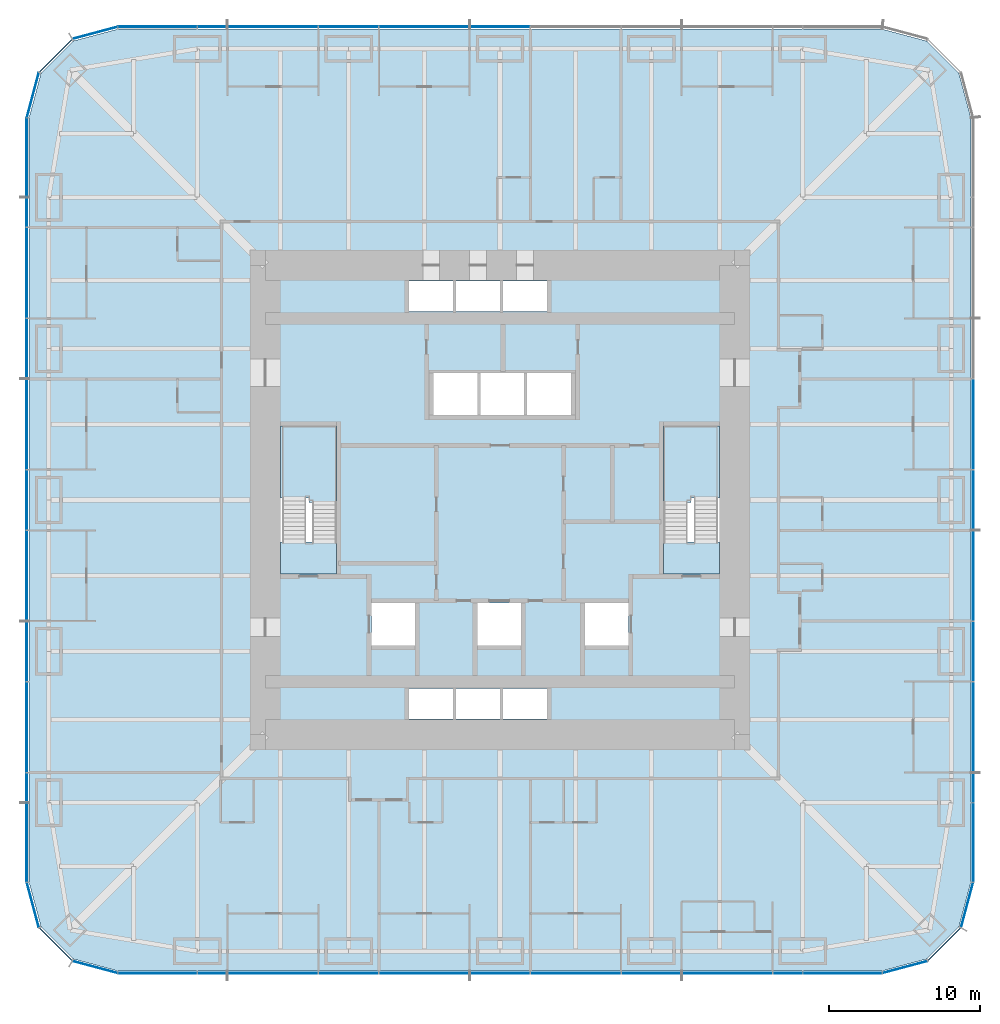
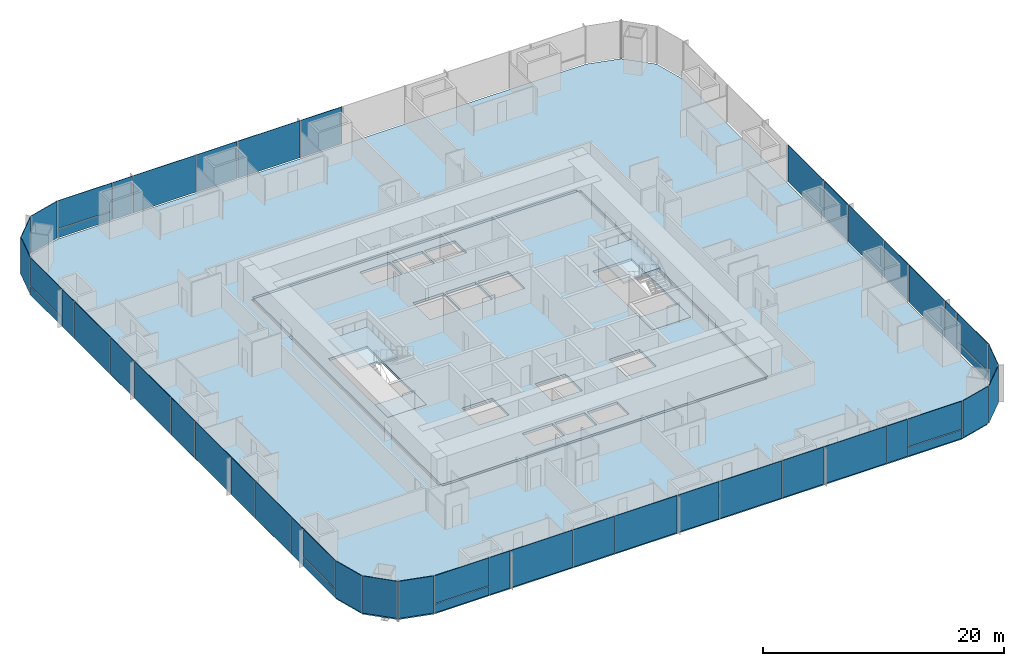
# One storey, part 10 of 17: 50 plates, 6 slabs, 9 elements without a shape of their own.
"""IFC4 building model written with IfcOpenShell, lengths in metres."""

from ifc_helpers import new_model, si_unit, direction, frame, origin, origin_2d, place, context, subcontext, project, spatial, polyline, rectangle, outline, extrude, material, layer, layer_set, type_object, element, aggregate, save


model = new_model("IFC4")

# Units and contexts
model_context = context("Model", 3, precision=1e-05, world=origin(), true_north=direction((0.0, 1.0)))
body_context = subcontext(model_context, "Body", "Model", "MODEL_VIEW")
ifc_project = project(units=[si_unit("LENGTHUNIT", "METRE"), si_unit("AREAUNIT", "SQUARE_METRE"), si_unit("VOLUMEUNIT", "CUBIC_METRE"), si_unit("PLANEANGLEUNIT", "RADIAN"), si_unit("MASSUNIT", "GRAM", prefix="KILO")], contexts=[model_context])

# Site, building, storey
site_placement = place(None, origin())
site = spatial("IfcSite", under=ifc_project, at=site_placement, CompositionType="ELEMENT")
building_placement = place(site_placement, origin())
building = spatial("IfcBuilding", under=site, at=building_placement, Name="Khuree Lantern Residences", CompositionType="ELEMENT")
storey_placement = place(building_placement, frame((0.0, 0.0, 77.25)))
storey = spatial("IfcBuildingStorey", under=building, at=storey_placement, Name="L19", CompositionType="ELEMENT", Elevation=77.25)

# Slab
ifc_material_1 = material(Name="Concrete C35/45", Category="concrete")
ifc_layer_1 = layer(ifc_material_1, 0.25)
ifc_layer_set_1 = layer_set([ifc_layer_1], Name="CFL250 CORE FLOOR SLAB 250")
slab_type_1 = type_object("IfcSlabType", Name="CFL250 CORE FLOOR SLAB 250", PredefinedType="FLOOR", material=ifc_layer_set_1)
slab_1_placement = place(storey_placement, frame((0.0, 0.0, -0.25)))
element("IfcSlab", 1, at=slab_1_placement, inside=storey, type_object=slab_type_1, Name="Core floor L19", PredefinedType="FLOOR", context=body_context, shape_type="SweptSolid", body=[
    extrude(outline(polyline([(-15.5, -15.5), (-15.5, 15.5), (15.5, 15.5), (15.5, -15.5), (-15.5, -15.5)]), holes=[polyline([(14.5, 4.89990234375), (10.800048828125, 4.89990234375), (10.800048828125, -4.89990234375), (14.5, -4.89990234375), (14.5, 4.89990234375)]), polyline([(8.5, -6.800048828125), (5.60009765625, -6.800048828125), (5.60009765625, -9.60009765625), (8.5, -9.60009765625), (8.5, -6.800048828125)]), polyline([(4.699951171875, 8.39990234375), (1.800048828125, 8.39990234375), (1.800048828125, 5.60009765625), (4.699951171875, 5.60009765625), (4.699951171875, 8.39990234375)]), polyline([(0.199951171875, -12.449951171875), (0.199951171875, -14.449951171875), (3.10009765625, -14.449951171875), (3.10009765625, -12.449951171875), (0.199951171875, -12.449951171875)]), polyline([(3.10009765625, 14.449951171875), (0.199951171875, 14.449951171875), (0.199951171875, 12.449951171875), (3.10009765625, 12.449951171875), (3.10009765625, 14.449951171875)]), polyline([(1.60009765625, 8.39990234375), (-1.300048828125, 8.39990234375), (-1.300048828125, 5.60009765625), (1.60009765625, 5.60009765625), (1.60009765625, 8.39990234375)]), polyline([(1.39990234375, -6.800048828125), (-1.5, -6.800048828125), (-1.5, -9.60009765625), (1.39990234375, -9.60009765625), (1.39990234375, -6.800048828125)]), polyline([(0.0, -12.449951171875), (-2.89990234375, -12.449951171875), (-2.89990234375, -14.449951171875), (0.0, -14.449951171875), (0.0, -12.449951171875)]), polyline([(0.0, 14.449951171875), (-2.89990234375, 14.449951171875), (-2.89990234375, 12.449951171875), (0.0, 12.449951171875), (0.0, 14.449951171875)]), polyline([(-1.5, 8.39990234375), (-4.39990234375, 8.39990234375), (-4.39990234375, 5.60009765625), (-1.5, 5.60009765625), (-1.5, 8.39990234375)]), polyline([(-6.0, -12.449951171875), (-6.0, -14.449951171875), (-3.10009765625, -14.449951171875), (-3.10009765625, -12.449951171875), (-6.0, -12.449951171875)]), polyline([(-3.10009765625, 14.449951171875), (-6.0, 14.449951171875), (-6.0, 12.449951171875), (-3.10009765625, 12.449951171875), (-3.10009765625, 14.449951171875)]), polyline([(-5.60009765625, -6.800048828125), (-8.5, -6.800048828125), (-8.5, -9.60009765625), (-5.60009765625, -9.60009765625), (-5.60009765625, -6.800048828125)]), polyline([(-10.800048828125, 4.89990234375), (-14.5, 4.89990234375), (-14.5, -4.89990234375), (-10.800048828125, -4.89990234375), (-10.800048828125, 4.89990234375)])]), origin(), (0.0, 0.0, 1.0), 0.25),
])

# Curtain wall, plates
ifc_material_2 = material(Name="Bronze anodised aluminium", Category="aluminium")
curtain_wall_type_1 = type_object("IfcCurtainWallType", Name="CW-T2 TOWER CORNER CURTAIN WALL", PredefinedType="USERDEFINED", material=ifc_material_2)
curtain_wall_1_placement = place(storey_placement, origin())
curtain_wall_1 = element("IfcCurtainWall", 2, at=curtain_wall_1_placement, inside=storey, type_object=curtain_wall_type_1, Name="L19 SOUTH-EAST CORNER CURTAIN WALL", ObjectType="Faceted corner curtain wall", PredefinedType="USERDEFINED")
ifc_material_3 = material(Name="Bronze tinted triple glazing", Category="glass")
ifc_layer_2 = layer(ifc_material_3, 0.048095703125)
ifc_layer_set_2 = layer_set([ifc_layer_2], Name="FACET PANEL P4")
plate_type_1 = type_object("IfcPlateType", Name="FACET PANEL P4", PredefinedType="CURTAIN_PANEL", material=ifc_layer_set_2)
plate_1_placement = place(storey_placement, frame((26.748046875, -30.8486328125, 0.0), z_axis=(0.0, 0.0, 1.0), x_axis=(0.965925792265, 0.258819172081, 0.0)))
plate_1 = element("IfcPlate", 3, at=plate_1_placement, type_object=plate_type_1, Name="L19 SOUTH-EAST CORNER PANEL 1.1", PredefinedType="CURTAIN_PANEL", context=body_context, shape_type="SweptSolid", body=[
    extrude(rectangle(XDim=3.02978515625, YDim=0.048095703125, at=origin_2d()), origin(), (0.0, 0.0, 1.0), 3.75),
])
plate_2_placement = place(storey_placement, frame((29.34814453125, -29.34814453125, 0.0), z_axis=(0.0, 0.0, 1.0), x_axis=(0.707106781187, 0.707106781187, 0.0)))
plate_2 = element("IfcPlate", 4, at=plate_2_placement, type_object=plate_type_1, Name="L19 SOUTH-EAST CORNER PANEL 2.1", PredefinedType="CURTAIN_PANEL", context=body_context, shape_type="SweptSolid", body=[
    extrude(rectangle(XDim=3.025634765625, YDim=0.048095703125, at=origin_2d()), origin(), (0.0, 0.0, 1.0), 3.75),
])
plate_3_placement = place(storey_placement, frame((30.8486328125, -26.748046875, 0.0), z_axis=(0.0, 0.0, 1.0), x_axis=(0.258819172081, 0.965925792265, 0.0)))
plate_3 = element("IfcPlate", 5, at=plate_3_placement, type_object=plate_type_1, Name="L19 SOUTH-EAST CORNER PANEL 3.1", PredefinedType="CURTAIN_PANEL", context=body_context, shape_type="SweptSolid", body=[
    extrude(rectangle(XDim=3.02978515625, YDim=0.048095703125, at=origin_2d()), origin(), (0.0, 0.0, 1.0), 3.75),
])
aggregate(curtain_wall_1, [plate_1, plate_2, plate_3])

curtain_wall_2_placement = place(storey_placement, origin())
curtain_wall_2 = element("IfcCurtainWall", 6, at=curtain_wall_2_placement, inside=storey, type_object=curtain_wall_type_1, Name="L19 NORTH-WEST CORNER CURTAIN WALL", ObjectType="Faceted corner curtain wall", PredefinedType="USERDEFINED")
plate_4_placement = place(storey_placement, frame((-26.748046875, 30.8486328125, 0.0), z_axis=(0.0, 0.0, 1.0), x_axis=(-0.965925792265, -0.258819172081, 0.0)))
plate_4 = element("IfcPlate", 7, at=plate_4_placement, type_object=plate_type_1, Name="L19 NORTH-WEST CORNER PANEL 29.1", PredefinedType="CURTAIN_PANEL", context=body_context, shape_type="SweptSolid", body=[
    extrude(rectangle(XDim=3.02978515625, YDim=0.048095703125, at=origin_2d()), origin(), (0.0, 0.0, 1.0), 3.75),
])
plate_5_placement = place(storey_placement, frame((-29.34814453125, 29.34814453125, 0.0), z_axis=(0.0, 0.0, 1.0), x_axis=(-0.707106781187, -0.707106781187, 0.0)))
plate_5 = element("IfcPlate", 8, at=plate_5_placement, type_object=plate_type_1, Name="L19 NORTH-WEST CORNER PANEL 30.1", PredefinedType="CURTAIN_PANEL", context=body_context, shape_type="SweptSolid", body=[
    extrude(rectangle(XDim=3.025634765625, YDim=0.048095703125, at=origin_2d()), origin(), (0.0, 0.0, 1.0), 3.75),
])
plate_6_placement = place(storey_placement, frame((-30.8486328125, 26.748046875, 0.0), z_axis=(0.0, 0.0, 1.0), x_axis=(-0.258819172081, -0.965925792265, 0.0)))
plate_6 = element("IfcPlate", 9, at=plate_6_placement, type_object=plate_type_1, Name="L19 NORTH-WEST CORNER PANEL 31.1", PredefinedType="CURTAIN_PANEL", context=body_context, shape_type="SweptSolid", body=[
    extrude(rectangle(XDim=3.02978515625, YDim=0.048095703125, at=origin_2d()), origin(), (0.0, 0.0, 1.0), 3.75),
])
aggregate(curtain_wall_2, [plate_4, plate_5, plate_6])

curtain_wall_3_placement = place(storey_placement, origin())
curtain_wall_3 = element("IfcCurtainWall", 10, at=curtain_wall_3_placement, inside=storey, type_object=curtain_wall_type_1, Name="L19 SOUTH-WEST CORNER CURTAIN WALL", ObjectType="Faceted corner curtain wall", PredefinedType="USERDEFINED")
plate_7_placement = place(storey_placement, frame((-30.8486328125, -26.748046875, 0.0), z_axis=(0.0, 0.0, 1.0), x_axis=(0.258819172081, -0.965925792265, 0.0)))
plate_7 = element("IfcPlate", 11, at=plate_7_placement, type_object=plate_type_1, Name="L19 SOUTH-WEST CORNER PANEL 43.1", PredefinedType="CURTAIN_PANEL", context=body_context, shape_type="SweptSolid", body=[
    extrude(rectangle(XDim=3.02978515625, YDim=0.048095703125, at=origin_2d()), origin(), (0.0, 0.0, 1.0), 3.75),
])
plate_8_placement = place(storey_placement, frame((-29.34814453125, -29.34814453125, 0.0), z_axis=(0.0, 0.0, 1.0), x_axis=(0.707106781187, -0.707106781187, 0.0)))
plate_8 = element("IfcPlate", 12, at=plate_8_placement, type_object=plate_type_1, Name="L19 SOUTH-WEST CORNER PANEL 44.1", PredefinedType="CURTAIN_PANEL", context=body_context, shape_type="SweptSolid", body=[
    extrude(rectangle(XDim=3.025634765625, YDim=0.048095703125, at=origin_2d()), origin(), (0.0, 0.0, 1.0), 3.75),
])
plate_9_placement = place(storey_placement, frame((-26.748046875, -30.8486328125, 0.0), z_axis=(0.0, 0.0, 1.0), x_axis=(0.965925792265, -0.258819172081, 0.0)))
plate_9 = element("IfcPlate", 13, at=plate_9_placement, type_object=plate_type_1, Name="L19 SOUTH-WEST CORNER PANEL 45.1", PredefinedType="CURTAIN_PANEL", context=body_context, shape_type="SweptSolid", body=[
    extrude(rectangle(XDim=3.02978515625, YDim=0.048095703125, at=origin_2d()), origin(), (0.0, 0.0, 1.0), 3.75),
])
aggregate(curtain_wall_3, [plate_7, plate_8, plate_9])

curtain_wall_type_2 = type_object("IfcCurtainWallType", Name="CW-T1 TOWER FACE CURTAIN WALL", PredefinedType="USERDEFINED", material=ifc_material_2)
curtain_wall_4_placement = place(storey_placement, origin())
curtain_wall_4 = element("IfcCurtainWall", 14, at=curtain_wall_4_placement, inside=storey, type_object=curtain_wall_type_2, Name="L19 EAST FACE CURTAIN WALL", ObjectType="Stick-built curtain wall", PredefinedType="USERDEFINED")
ifc_material_4 = material(Name="Bronze tinted triple glazing with a ceramic-fritted spandrel band", Category="glass")
ifc_layer_3 = layer(ifc_material_4, 0.048095703125)
ifc_layer_set_3 = layer_set([ifc_layer_3], Name="FIXED LIGHT PANEL P11")
plate_type_2 = type_object("IfcPlateType", Name="FIXED LIGHT PANEL P11", PredefinedType="CURTAIN_PANEL", material=ifc_layer_set_3)
plate_10_placement = place(storey_placement, frame((31.25, -15.0, 0.0), z_axis=(0.0, 0.0, 1.0), x_axis=(0.0, 1.0, 0.0)))
plate_10 = element("IfcPlate", 15, at=plate_10_placement, type_object=plate_type_2, Name="L19 EAST FACE PANEL 6.1", PredefinedType="CURTAIN_PANEL", context=body_context, shape_type="SweptSolid", body=[
    extrude(rectangle(XDim=5.93505859375, YDim=0.048095703125, at=origin_2d()), origin(), (0.0, 0.0, 1.0), 3.75),
])
plate_11_placement = place(storey_placement, frame((31.25, -5.0, 0.0), z_axis=(0.0, 0.0, 1.0), x_axis=(0.0, 1.0, 0.0)))
plate_11 = element("IfcPlate", 16, at=plate_11_placement, type_object=plate_type_2, Name="L19 EAST FACE PANEL 8.1", PredefinedType="CURTAIN_PANEL", context=body_context, shape_type="SweptSolid", body=[
    extrude(rectangle(XDim=5.93505859375, YDim=0.048095703125, at=origin_2d()), origin(), (0.0, 0.0, 1.0), 3.75),
])
plate_12_placement = place(storey_placement, frame((31.25, 5.0, 0.0), z_axis=(0.0, 0.0, 1.0), x_axis=(0.0, 1.0, 0.0)))
plate_12 = element("IfcPlate", 17, at=plate_12_placement, type_object=plate_type_2, Name="L19 EAST FACE PANEL 10.1", PredefinedType="CURTAIN_PANEL", context=body_context, shape_type="SweptSolid", body=[
    extrude(rectangle(XDim=5.93505859375, YDim=0.048095703125, at=origin_2d()), origin(), (0.0, 0.0, 1.0), 3.75),
])

curtain_wall_5_placement = place(storey_placement, origin())
curtain_wall_5 = element("IfcCurtainWall", 18, at=curtain_wall_5_placement, inside=storey, type_object=curtain_wall_type_2, Name="L19 NORTH FACE CURTAIN WALL", ObjectType="Stick-built curtain wall", PredefinedType="USERDEFINED")
plate_13_placement = place(storey_placement, frame((-5.0, 31.25, 0.0), z_axis=(0.0, 0.0, 1.0), x_axis=(-1.0, 0.0, 0.0)))
plate_13 = element("IfcPlate", 19, at=plate_13_placement, type_object=plate_type_2, Name="L19 NORTH FACE PANEL 24.1", PredefinedType="CURTAIN_PANEL", context=body_context, shape_type="SweptSolid", body=[
    extrude(rectangle(XDim=5.93505859375, YDim=0.048095703125, at=origin_2d()), origin(), (0.0, 0.0, 1.0), 3.75),
])
plate_14_placement = place(storey_placement, frame((-15.0, 31.25, 0.0), z_axis=(0.0, 0.0, 1.0), x_axis=(-1.0, 0.0, 0.0)))
plate_14 = element("IfcPlate", 20, at=plate_14_placement, type_object=plate_type_2, Name="L19 NORTH FACE PANEL 26.1", PredefinedType="CURTAIN_PANEL", context=body_context, shape_type="SweptSolid", body=[
    extrude(rectangle(XDim=5.93505859375, YDim=0.048095703125, at=origin_2d()), origin(), (0.0, 0.0, 1.0), 3.75),
])

curtain_wall_6_placement = place(storey_placement, origin())
curtain_wall_6 = element("IfcCurtainWall", 21, at=curtain_wall_6_placement, inside=storey, type_object=curtain_wall_type_2, Name="L19 WEST FACE CURTAIN WALL", ObjectType="Stick-built curtain wall", PredefinedType="USERDEFINED")
plate_15_placement = place(storey_placement, frame((-31.25, 15.0, 0.0), z_axis=(0.0, 0.0, 1.0), x_axis=(0.0, -1.0, 0.0)))
plate_15 = element("IfcPlate", 22, at=plate_15_placement, type_object=plate_type_2, Name="L19 WEST FACE PANEL 34.1", PredefinedType="CURTAIN_PANEL", context=body_context, shape_type="SweptSolid", body=[
    extrude(rectangle(XDim=5.93505859375, YDim=0.048095703125, at=origin_2d()), origin(), (0.0, 0.0, 1.0), 3.75),
])
plate_16_placement = place(storey_placement, frame((-31.25, 5.0, 0.0), z_axis=(0.0, 0.0, 1.0), x_axis=(0.0, -1.0, 0.0)))
plate_16 = element("IfcPlate", 23, at=plate_16_placement, type_object=plate_type_2, Name="L19 WEST FACE PANEL 36.1", PredefinedType="CURTAIN_PANEL", context=body_context, shape_type="SweptSolid", body=[
    extrude(rectangle(XDim=5.93505859375, YDim=0.048095703125, at=origin_2d()), origin(), (0.0, 0.0, 1.0), 3.75),
])
plate_17_placement = place(storey_placement, frame((-31.25, -5.0, 0.0), z_axis=(0.0, 0.0, 1.0), x_axis=(0.0, -1.0, 0.0)))
plate_17 = element("IfcPlate", 24, at=plate_17_placement, type_object=plate_type_2, Name="L19 WEST FACE PANEL 38.1", PredefinedType="CURTAIN_PANEL", context=body_context, shape_type="SweptSolid", body=[
    extrude(rectangle(XDim=5.93505859375, YDim=0.048095703125, at=origin_2d()), origin(), (0.0, 0.0, 1.0), 3.75),
])
plate_18_placement = place(storey_placement, frame((-31.25, -15.0, 0.0), z_axis=(0.0, 0.0, 1.0), x_axis=(0.0, -1.0, 0.0)))
plate_18 = element("IfcPlate", 25, at=plate_18_placement, type_object=plate_type_2, Name="L19 WEST FACE PANEL 40.1", PredefinedType="CURTAIN_PANEL", context=body_context, shape_type="SweptSolid", body=[
    extrude(rectangle(XDim=5.93505859375, YDim=0.048095703125, at=origin_2d()), origin(), (0.0, 0.0, 1.0), 3.75),
])

curtain_wall_7_placement = place(storey_placement, origin())
curtain_wall_7 = element("IfcCurtainWall", 26, at=curtain_wall_7_placement, inside=storey, type_object=curtain_wall_type_2, Name="L19 SOUTH FACE CURTAIN WALL", ObjectType="Stick-built curtain wall", PredefinedType="USERDEFINED")
plate_19_placement = place(storey_placement, frame((-15.0, -31.25, 0.0), z_axis=(0.0, 0.0, 1.0), x_axis=(1.0, 0.0, 0.0)))
plate_19 = element("IfcPlate", 27, at=plate_19_placement, type_object=plate_type_2, Name="L19 SOUTH FACE PANEL 48.1", PredefinedType="CURTAIN_PANEL", context=body_context, shape_type="SweptSolid", body=[
    extrude(rectangle(XDim=5.93505859375, YDim=0.048095703125, at=origin_2d()), origin(), (0.0, 0.0, 1.0), 3.75),
])
plate_20_placement = place(storey_placement, frame((-5.0, -31.25, 0.0), z_axis=(0.0, 0.0, 1.0), x_axis=(1.0, 0.0, 0.0)))
plate_20 = element("IfcPlate", 28, at=plate_20_placement, type_object=plate_type_2, Name="L19 SOUTH FACE PANEL 50.1", PredefinedType="CURTAIN_PANEL", context=body_context, shape_type="SweptSolid", body=[
    extrude(rectangle(XDim=5.93505859375, YDim=0.048095703125, at=origin_2d()), origin(), (0.0, 0.0, 1.0), 3.75),
])
plate_21_placement = place(storey_placement, frame((5.0, -31.25, 0.0), z_axis=(0.0, 0.0, 1.0), x_axis=(1.0, 0.0, 0.0)))
plate_21 = element("IfcPlate", 29, at=plate_21_placement, type_object=plate_type_2, Name="L19 SOUTH FACE PANEL 52.1", PredefinedType="CURTAIN_PANEL", context=body_context, shape_type="SweptSolid", body=[
    extrude(rectangle(XDim=5.93505859375, YDim=0.048095703125, at=origin_2d()), origin(), (0.0, 0.0, 1.0), 3.75),
])
plate_22_placement = place(storey_placement, frame((15.0, -31.25, 0.0), z_axis=(0.0, 0.0, 1.0), x_axis=(1.0, 0.0, 0.0)))
plate_22 = element("IfcPlate", 30, at=plate_22_placement, type_object=plate_type_2, Name="L19 SOUTH FACE PANEL 54.1", PredefinedType="CURTAIN_PANEL", context=body_context, shape_type="SweptSolid", body=[
    extrude(rectangle(XDim=5.93505859375, YDim=0.048095703125, at=origin_2d()), origin(), (0.0, 0.0, 1.0), 3.75),
])

# Slab
ifc_layer_4 = layer(ifc_material_1, 0.25)
ifc_layer_set_4 = layer_set([ifc_layer_4], Name="FS250 FLOOR SLAB 250")
slab_type_2 = type_object("IfcSlabType", Name="FS250 FLOOR SLAB 250", PredefinedType="FLOOR", material=ifc_layer_set_4)
slab_2_placement = place(storey_placement, frame((0.0, 0.0, -0.25)))
element("IfcSlab", 31, at=slab_2_placement, inside=storey, type_object=slab_type_2, Name="Floor slab L19", PredefinedType="FLOOR", context=body_context, shape_type="SweptSolid", body=[
    extrude(outline(polyline([(-28.175048828125, -30.316162109375), (-30.316162109375, -28.175048828125), (-31.10009765625, -25.25), (-31.10009765625, 25.25), (-30.316162109375, 28.175048828125), (-28.175048828125, 30.316162109375), (-25.25, 31.10009765625), (25.25, 31.10009765625), (28.175048828125, 30.316162109375), (30.316162109375, 28.175048828125), (31.10009765625, 25.25), (31.10009765625, -25.25), (30.316162109375, -28.175048828125), (28.175048828125, -30.316162109375), (25.25, -31.10009765625), (-25.25, -31.10009765625), (-28.175048828125, -30.316162109375)]), holes=[polyline([(15.75, 15.5), (15.5, 15.5), (15.5, 15.75), (-15.5, 15.75), (-15.5, 15.5), (-15.75, 15.5), (-15.75, -15.5), (-15.5, -15.5), (-15.5, -15.75), (15.5, -15.75), (15.5, -15.5), (15.75, -15.5), (15.75, 15.5)])]), origin(), (0.0, 0.0, 1.0), 0.25),
])

# Plate
ifc_material_5 = material(Name="Bronze tinted triple glazing, two aluminium-framed sashes in one frame", Category="aluminium")
ifc_layer_5 = layer(ifc_material_5, 0.048095703125)
ifc_layer_set_5 = layer_set([ifc_layer_5], Name="SASH PAIR PANEL P12")
plate_type_3 = type_object("IfcPlateType", Name="SASH PAIR PANEL P12", PredefinedType="CURTAIN_PANEL", material=ifc_layer_set_5)
plate_23_placement = place(storey_placement, frame((31.25, -10.0, 0.0), z_axis=(0.0, 0.0, 1.0), x_axis=(0.0, 1.0, 0.0)))
plate_23 = element("IfcPlate", 32, at=plate_23_placement, type_object=plate_type_3, Name="L19 EAST FACE PANEL 7.1", PredefinedType="CURTAIN_PANEL", context=body_context, shape_type="SweptSolid", body=[
    extrude(rectangle(XDim=3.93505859375, YDim=0.048095703125, at=origin_2d()), origin(), (0.0, 0.0, 1.0), 3.75),
])

plate_24_placement = place(storey_placement, frame((31.25, 0.0, 0.0), z_axis=(0.0, 0.0, 1.0), x_axis=(0.0, 1.0, 0.0)))
plate_24 = element("IfcPlate", 33, at=plate_24_placement, type_object=plate_type_3, Name="L19 EAST FACE PANEL 9.1", PredefinedType="CURTAIN_PANEL", context=body_context, shape_type="SweptSolid", body=[
    extrude(rectangle(XDim=3.93505859375, YDim=0.048095703125, at=origin_2d()), origin(), (0.0, 0.0, 1.0), 3.75),
])

plate_25_placement = place(storey_placement, frame((0.0, 31.25, 0.0), z_axis=(0.0, 0.0, 1.0), x_axis=(-1.0, 0.0, 0.0)))
plate_25 = element("IfcPlate", 34, at=plate_25_placement, type_object=plate_type_3, Name="L19 NORTH FACE PANEL 23.1", PredefinedType="CURTAIN_PANEL", context=body_context, shape_type="SweptSolid", body=[
    extrude(rectangle(XDim=3.93505859375, YDim=0.048095703125, at=origin_2d()), origin(), (0.0, 0.0, 1.0), 3.75),
])

plate_26_placement = place(storey_placement, frame((-10.0, 31.25, 0.0), z_axis=(0.0, 0.0, 1.0), x_axis=(-1.0, 0.0, 0.0)))
plate_26 = element("IfcPlate", 35, at=plate_26_placement, type_object=plate_type_3, Name="L19 NORTH FACE PANEL 25.1", PredefinedType="CURTAIN_PANEL", context=body_context, shape_type="SweptSolid", body=[
    extrude(rectangle(XDim=3.93505859375, YDim=0.048095703125, at=origin_2d()), origin(), (0.0, 0.0, 1.0), 3.75),
])

plate_27_placement = place(storey_placement, frame((-31.25, 10.0, 0.0), z_axis=(0.0, 0.0, 1.0), x_axis=(0.0, -1.0, 0.0)))
plate_27 = element("IfcPlate", 36, at=plate_27_placement, type_object=plate_type_3, Name="L19 WEST FACE PANEL 35.1", PredefinedType="CURTAIN_PANEL", context=body_context, shape_type="SweptSolid", body=[
    extrude(rectangle(XDim=3.93505859375, YDim=0.048095703125, at=origin_2d()), origin(), (0.0, 0.0, 1.0), 3.75),
])

plate_28_placement = place(storey_placement, frame((-31.25, 0.0, 0.0), z_axis=(0.0, 0.0, 1.0), x_axis=(0.0, -1.0, 0.0)))
plate_28 = element("IfcPlate", 37, at=plate_28_placement, type_object=plate_type_3, Name="L19 WEST FACE PANEL 37.1", PredefinedType="CURTAIN_PANEL", context=body_context, shape_type="SweptSolid", body=[
    extrude(rectangle(XDim=3.93505859375, YDim=0.048095703125, at=origin_2d()), origin(), (0.0, 0.0, 1.0), 3.75),
])

plate_29_placement = place(storey_placement, frame((-31.25, -10.0, 0.0), z_axis=(0.0, 0.0, 1.0), x_axis=(0.0, -1.0, 0.0)))
plate_29 = element("IfcPlate", 38, at=plate_29_placement, type_object=plate_type_3, Name="L19 WEST FACE PANEL 39.1", PredefinedType="CURTAIN_PANEL", context=body_context, shape_type="SweptSolid", body=[
    extrude(rectangle(XDim=3.93505859375, YDim=0.048095703125, at=origin_2d()), origin(), (0.0, 0.0, 1.0), 3.75),
])

plate_30_placement = place(storey_placement, frame((-10.0, -31.25, 0.0), z_axis=(0.0, 0.0, 1.0), x_axis=(1.0, 0.0, 0.0)))
plate_30 = element("IfcPlate", 39, at=plate_30_placement, type_object=plate_type_3, Name="L19 SOUTH FACE PANEL 49.1", PredefinedType="CURTAIN_PANEL", context=body_context, shape_type="SweptSolid", body=[
    extrude(rectangle(XDim=3.93505859375, YDim=0.048095703125, at=origin_2d()), origin(), (0.0, 0.0, 1.0), 3.75),
])

plate_31_placement = place(storey_placement, frame((0.0, -31.25, 0.0), z_axis=(0.0, 0.0, 1.0), x_axis=(1.0, 0.0, 0.0)))
plate_31 = element("IfcPlate", 40, at=plate_31_placement, type_object=plate_type_3, Name="L19 SOUTH FACE PANEL 51.1", PredefinedType="CURTAIN_PANEL", context=body_context, shape_type="SweptSolid", body=[
    extrude(rectangle(XDim=3.93505859375, YDim=0.048095703125, at=origin_2d()), origin(), (0.0, 0.0, 1.0), 3.75),
])

plate_32_placement = place(storey_placement, frame((10.0, -31.25, 0.0), z_axis=(0.0, 0.0, 1.0), x_axis=(1.0, 0.0, 0.0)))
plate_32 = element("IfcPlate", 41, at=plate_32_placement, type_object=plate_type_3, Name="L19 SOUTH FACE PANEL 53.1", PredefinedType="CURTAIN_PANEL", context=body_context, shape_type="SweptSolid", body=[
    extrude(rectangle(XDim=3.93505859375, YDim=0.048095703125, at=origin_2d()), origin(), (0.0, 0.0, 1.0), 3.75),
])

ifc_material_6 = material(Name="Bronze tinted triple glazing, aluminium-framed sash", Category="aluminium")
ifc_layer_6 = layer(ifc_material_6, 0.048095703125)
ifc_layer_set_6 = layer_set([ifc_layer_6], Name="SASH PANEL P3")
plate_type_4 = type_object("IfcPlateType", Name="SASH PANEL P3", PredefinedType="CURTAIN_PANEL", material=ifc_layer_set_6)
plate_33_placement = place(storey_placement, frame((31.25, -19.0, 0.0), z_axis=(0.0, 0.0, 1.0), x_axis=(0.0, 1.0, 0.0)))
plate_33 = element("IfcPlate", 42, at=plate_33_placement, type_object=plate_type_4, Name="L19 EAST FACE PANEL 5.1", PredefinedType="CURTAIN_PANEL", context=body_context, shape_type="SweptSolid", body=[
    extrude(rectangle(XDim=1.93505859375, YDim=0.048095703125, at=origin_2d()), origin(), (0.0, 0.0, 1.0), 3.75),
])

plate_34_placement = place(storey_placement, frame((-19.0, 31.25, 0.0), z_axis=(0.0, 0.0, 1.0), x_axis=(-1.0, 0.0, 0.0)))
plate_34 = element("IfcPlate", 43, at=plate_34_placement, type_object=plate_type_4, Name="L19 NORTH FACE PANEL 27.1", PredefinedType="CURTAIN_PANEL", context=body_context, shape_type="SweptSolid", body=[
    extrude(rectangle(XDim=1.93505859375, YDim=0.048095703125, at=origin_2d()), origin(), (0.0, 0.0, 1.0), 3.75),
])

plate_35_placement = place(storey_placement, frame((-31.25, 19.0, 0.0), z_axis=(0.0, 0.0, 1.0), x_axis=(0.0, -1.0, 0.0)))
plate_35 = element("IfcPlate", 44, at=plate_35_placement, type_object=plate_type_4, Name="L19 WEST FACE PANEL 33.1", PredefinedType="CURTAIN_PANEL", context=body_context, shape_type="SweptSolid", body=[
    extrude(rectangle(XDim=1.93505859375, YDim=0.048095703125, at=origin_2d()), origin(), (0.0, 0.0, 1.0), 3.75),
])

plate_36_placement = place(storey_placement, frame((-31.25, -19.0, 0.0), z_axis=(0.0, 0.0, 1.0), x_axis=(0.0, -1.0, 0.0)))
plate_36 = element("IfcPlate", 45, at=plate_36_placement, type_object=plate_type_4, Name="L19 WEST FACE PANEL 41.1", PredefinedType="CURTAIN_PANEL", context=body_context, shape_type="SweptSolid", body=[
    extrude(rectangle(XDim=1.93505859375, YDim=0.048095703125, at=origin_2d()), origin(), (0.0, 0.0, 1.0), 3.75),
])

plate_37_placement = place(storey_placement, frame((-19.0, -31.25, 0.0), z_axis=(0.0, 0.0, 1.0), x_axis=(1.0, 0.0, 0.0)))
plate_37 = element("IfcPlate", 46, at=plate_37_placement, type_object=plate_type_4, Name="L19 SOUTH FACE PANEL 47.1", PredefinedType="CURTAIN_PANEL", context=body_context, shape_type="SweptSolid", body=[
    extrude(rectangle(XDim=1.93505859375, YDim=0.048095703125, at=origin_2d()), origin(), (0.0, 0.0, 1.0), 3.75),
])

plate_38_placement = place(storey_placement, frame((19.0, -31.25, 0.0), z_axis=(0.0, 0.0, 1.0), x_axis=(1.0, 0.0, 0.0)))
plate_38 = element("IfcPlate", 47, at=plate_38_placement, type_object=plate_type_4, Name="L19 SOUTH FACE PANEL 55.1", PredefinedType="CURTAIN_PANEL", context=body_context, shape_type="SweptSolid", body=[
    extrude(rectangle(XDim=1.93505859375, YDim=0.048095703125, at=origin_2d()), origin(), (0.0, 0.0, 1.0), 3.75),
])

ifc_material_7 = material(Name="Bronze anodised aluminium insulated spandrel", Category="aluminium")
ifc_layer_7 = layer(ifc_material_7, 0.06005859375)
ifc_layer_set_7 = layer_set([ifc_layer_7], Name="SPANDREL PANEL P2")
plate_type_5 = type_object("IfcPlateType", Name="SPANDREL PANEL P2", PredefinedType="CURTAIN_PANEL", material=ifc_layer_set_7)
plate_39_placement = place(storey_placement, frame((31.25, -22.622802734375, 0.0), z_axis=(0.0, 0.0, 1.0), x_axis=(0.0, 1.0, 0.0)))
plate_39 = element("IfcPlate", 48, at=plate_39_placement, type_object=plate_type_5, Name="L19 EAST FACE PANEL 4.1", PredefinedType="CURTAIN_PANEL", context=body_context, shape_type="SweptSolid", body=[
    extrude(rectangle(XDim=5.1806640625, YDim=0.06005859375, at=origin_2d()), origin(), (0.0, 0.0, 1.0), 0.867431640625),
])

plate_40_placement = place(storey_placement, frame((-22.622802734375, 31.25, 0.0), z_axis=(0.0, 0.0, 1.0), x_axis=(-1.0, 0.0, 0.0)))
plate_40 = element("IfcPlate", 49, at=plate_40_placement, type_object=plate_type_5, Name="L19 NORTH FACE PANEL 28.1", PredefinedType="CURTAIN_PANEL", context=body_context, shape_type="SweptSolid", body=[
    extrude(rectangle(XDim=5.1806640625, YDim=0.06005859375, at=origin_2d()), origin(), (0.0, 0.0, 1.0), 0.867431640625),
])

plate_41_placement = place(storey_placement, frame((-31.25, 22.622802734375, 0.0), z_axis=(0.0, 0.0, 1.0), x_axis=(0.0, -1.0, 0.0)))
plate_41 = element("IfcPlate", 50, at=plate_41_placement, type_object=plate_type_5, Name="L19 WEST FACE PANEL 32.1", PredefinedType="CURTAIN_PANEL", context=body_context, shape_type="SweptSolid", body=[
    extrude(rectangle(XDim=5.1806640625, YDim=0.06005859375, at=origin_2d()), origin(), (0.0, 0.0, 1.0), 0.867431640625),
])

plate_42_placement = place(storey_placement, frame((-31.25, -22.622802734375, 0.0), z_axis=(0.0, 0.0, 1.0), x_axis=(0.0, -1.0, 0.0)))
plate_42 = element("IfcPlate", 51, at=plate_42_placement, type_object=plate_type_5, Name="L19 WEST FACE PANEL 42.1", PredefinedType="CURTAIN_PANEL", context=body_context, shape_type="SweptSolid", body=[
    extrude(rectangle(XDim=5.1806640625, YDim=0.06005859375, at=origin_2d()), origin(), (0.0, 0.0, 1.0), 0.867431640625),
])

plate_43_placement = place(storey_placement, frame((-22.622802734375, -31.25, 0.0), z_axis=(0.0, 0.0, 1.0), x_axis=(1.0, 0.0, 0.0)))
plate_43 = element("IfcPlate", 52, at=plate_43_placement, type_object=plate_type_5, Name="L19 SOUTH FACE PANEL 46.1", PredefinedType="CURTAIN_PANEL", context=body_context, shape_type="SweptSolid", body=[
    extrude(rectangle(XDim=5.1806640625, YDim=0.06005859375, at=origin_2d()), origin(), (0.0, 0.0, 1.0), 0.867431640625),
])

plate_44_placement = place(storey_placement, frame((22.622802734375, -31.25, 0.0), z_axis=(0.0, 0.0, 1.0), x_axis=(1.0, 0.0, 0.0)))
plate_44 = element("IfcPlate", 53, at=plate_44_placement, type_object=plate_type_5, Name="L19 SOUTH FACE PANEL 56.1", PredefinedType="CURTAIN_PANEL", context=body_context, shape_type="SweptSolid", body=[
    extrude(rectangle(XDim=5.1806640625, YDim=0.06005859375, at=origin_2d()), origin(), (0.0, 0.0, 1.0), 0.867431640625),
])

# Stair, slabs
ifc_material_8 = material(Name="Concrete C40/50", Category="concrete")
stair_type = type_object("IfcStairType", Name="STAIR ST1 HALF TURN 3600", PredefinedType="HALF_TURN_STAIR", material=ifc_material_8)
stair_1_placement = place(storey_placement, origin())
stair_1 = element("IfcStair", 54, at=stair_1_placement, inside=storey, type_object=stair_type, Name="Stair ST1", PredefinedType="HALF_TURN_STAIR")
ifc_layer_8 = layer(ifc_material_8, 0.199951171875)
ifc_layer_set_8 = layer_set([ifc_layer_8], Name="STAIR LANDING SL1 200")
slab_type_3 = type_object("IfcSlabType", Name="STAIR LANDING SL1 200", PredefinedType="LANDING", material=ifc_layer_set_8)
slab_3_placement = place(storey_placement, frame((0.0, 0.0, -0.199951171875)))
slab_3 = element("IfcSlab", 55, at=slab_3_placement, type_object=slab_type_3, Name="ST1 landing 1", PredefinedType="LANDING", context=body_context, shape_type="SweptSolid", body=[
    extrude(outline(polyline([(-14.5, -4.89990234375), (-10.800048828125, -4.89990234375), (-10.800048828125, -2.760009765625), (-14.5, -2.760009765625), (-14.5, -4.89990234375)])), origin(), (0.0, 0.0, 1.0), 0.199951171875),
])
slab_4_placement = place(storey_placement, frame((0.0, 0.0, 1.756591796875)))
slab_4 = element("IfcSlab", 56, at=slab_4_placement, type_object=slab_type_3, Name="ST1 landing 2", PredefinedType="LANDING", context=body_context, shape_type="SweptSolid", body=[
    extrude(outline(polyline([(-14.5, 0.1201171875), (-14.5, 4.89990234375), (-10.800048828125, 4.89990234375), (-10.800048828125, -0.159912109375), (-12.60009765625, -0.159912109375), (-12.60009765625, 0.1201171875), (-14.5, 0.1201171875)])), origin(), (0.0, 0.0, 1.0), 0.199951171875),
])
aggregate(stair_1, [slab_3, slab_4])

stair_2_placement = place(storey_placement, origin())
stair_2 = element("IfcStair", 57, at=stair_2_placement, inside=storey, type_object=stair_type, Name="Stair ST2", PredefinedType="HALF_TURN_STAIR")
slab_5_placement = place(storey_placement, frame((0.0, 0.0, -0.199951171875)))
slab_5 = element("IfcSlab", 58, at=slab_5_placement, type_object=slab_type_3, Name="ST2 landing 1", PredefinedType="LANDING", context=body_context, shape_type="SweptSolid", body=[
    extrude(outline(polyline([(10.800048828125, -4.89990234375), (14.5, -4.89990234375), (14.5, -2.760009765625), (10.800048828125, -2.760009765625), (10.800048828125, -4.89990234375)])), origin(), (0.0, 0.0, 1.0), 0.199951171875),
])
slab_6_placement = place(storey_placement, frame((0.0, 0.0, 1.756591796875)))
slab_6 = element("IfcSlab", 59, at=slab_6_placement, type_object=slab_type_3, Name="ST2 landing 2", PredefinedType="LANDING", context=body_context, shape_type="SweptSolid", body=[
    extrude(outline(polyline([(14.5, 4.89990234375), (14.5, 0.1201171875), (12.60009765625, 0.1201171875), (12.60009765625, -0.159912109375), (10.800048828125, -0.159912109375), (10.800048828125, 4.89990234375), (14.5, 4.89990234375)])), origin(), (0.0, 0.0, 1.0), 0.199951171875),
])
aggregate(stair_2, [slab_5, slab_6])

# Plate
ifc_layer_9 = layer(ifc_material_3, 0.048095703125)
ifc_layer_set_9 = layer_set([ifc_layer_9], Name="VISION PANEL P1")
plate_type_6 = type_object("IfcPlateType", Name="VISION PANEL P1", PredefinedType="CURTAIN_PANEL", material=ifc_layer_set_9)
plate_45_placement = place(storey_placement, frame((31.25, -22.623291015625, 0.9326171875), z_axis=(0.0, 0.0, 1.0), x_axis=(0.0, 1.0, 0.0)))
plate_45 = element("IfcPlate", 60, at=plate_45_placement, type_object=plate_type_6, Name="L19 EAST FACE PANEL 4.2", PredefinedType="CURTAIN_PANEL", context=body_context, shape_type="SweptSolid", body=[
    extrude(rectangle(XDim=5.181640625, YDim=0.048095703125, at=origin_2d()), origin(), (0.0, 0.0, 1.0), 2.8173828125),
])

aggregate(curtain_wall_4, [plate_39, plate_45, plate_33, plate_10, plate_23, plate_11, plate_24, plate_12])

plate_46_placement = place(storey_placement, frame((-22.623291015625, 31.25, 0.9326171875), z_axis=(0.0, 0.0, 1.0), x_axis=(-1.0, 0.0, 0.0)))
plate_46 = element("IfcPlate", 61, at=plate_46_placement, type_object=plate_type_6, Name="L19 NORTH FACE PANEL 28.2", PredefinedType="CURTAIN_PANEL", context=body_context, shape_type="SweptSolid", body=[
    extrude(rectangle(XDim=5.181640625, YDim=0.048095703125, at=origin_2d()), origin(), (0.0, 0.0, 1.0), 2.8173828125),
])

aggregate(curtain_wall_5, [plate_25, plate_13, plate_26, plate_14, plate_34, plate_40, plate_46])

plate_47_placement = place(storey_placement, frame((-31.25, 22.623291015625, 0.9326171875), z_axis=(0.0, 0.0, 1.0), x_axis=(0.0, -1.0, 0.0)))
plate_47 = element("IfcPlate", 62, at=plate_47_placement, type_object=plate_type_6, Name="L19 WEST FACE PANEL 32.2", PredefinedType="CURTAIN_PANEL", context=body_context, shape_type="SweptSolid", body=[
    extrude(rectangle(XDim=5.181640625, YDim=0.048095703125, at=origin_2d()), origin(), (0.0, 0.0, 1.0), 2.8173828125),
])

plate_48_placement = place(storey_placement, frame((-31.25, -22.623291015625, 0.9326171875), z_axis=(0.0, 0.0, 1.0), x_axis=(0.0, -1.0, 0.0)))
plate_48 = element("IfcPlate", 63, at=plate_48_placement, type_object=plate_type_6, Name="L19 WEST FACE PANEL 42.2", PredefinedType="CURTAIN_PANEL", context=body_context, shape_type="SweptSolid", body=[
    extrude(rectangle(XDim=5.181640625, YDim=0.048095703125, at=origin_2d()), origin(), (0.0, 0.0, 1.0), 2.8173828125),
])

aggregate(curtain_wall_6, [plate_41, plate_47, plate_35, plate_15, plate_27, plate_16, plate_28, plate_17, plate_29, plate_18, plate_36, plate_42, plate_48])

plate_49_placement = place(storey_placement, frame((-22.623291015625, -31.25, 0.9326171875), z_axis=(0.0, 0.0, 1.0), x_axis=(1.0, 0.0, 0.0)))
plate_49 = element("IfcPlate", 64, at=plate_49_placement, type_object=plate_type_6, Name="L19 SOUTH FACE PANEL 46.2", PredefinedType="CURTAIN_PANEL", context=body_context, shape_type="SweptSolid", body=[
    extrude(rectangle(XDim=5.181640625, YDim=0.048095703125, at=origin_2d()), origin(), (0.0, 0.0, 1.0), 2.8173828125),
])

plate_50_placement = place(storey_placement, frame((22.623291015625, -31.25, 0.9326171875), z_axis=(0.0, 0.0, 1.0), x_axis=(1.0, 0.0, 0.0)))
plate_50 = element("IfcPlate", 65, at=plate_50_placement, type_object=plate_type_6, Name="L19 SOUTH FACE PANEL 56.2", PredefinedType="CURTAIN_PANEL", context=body_context, shape_type="SweptSolid", body=[
    extrude(rectangle(XDim=5.181640625, YDim=0.048095703125, at=origin_2d()), origin(), (0.0, 0.0, 1.0), 2.8173828125),
])

aggregate(curtain_wall_7, [plate_43, plate_49, plate_37, plate_19, plate_30, plate_20, plate_31, plate_21, plate_32, plate_22, plate_38, plate_44, plate_50])

save(model, "model.ifc")
